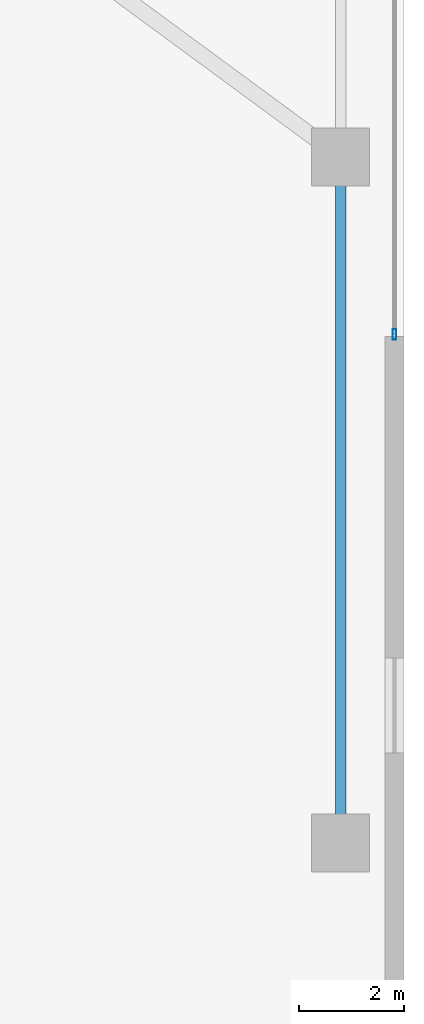
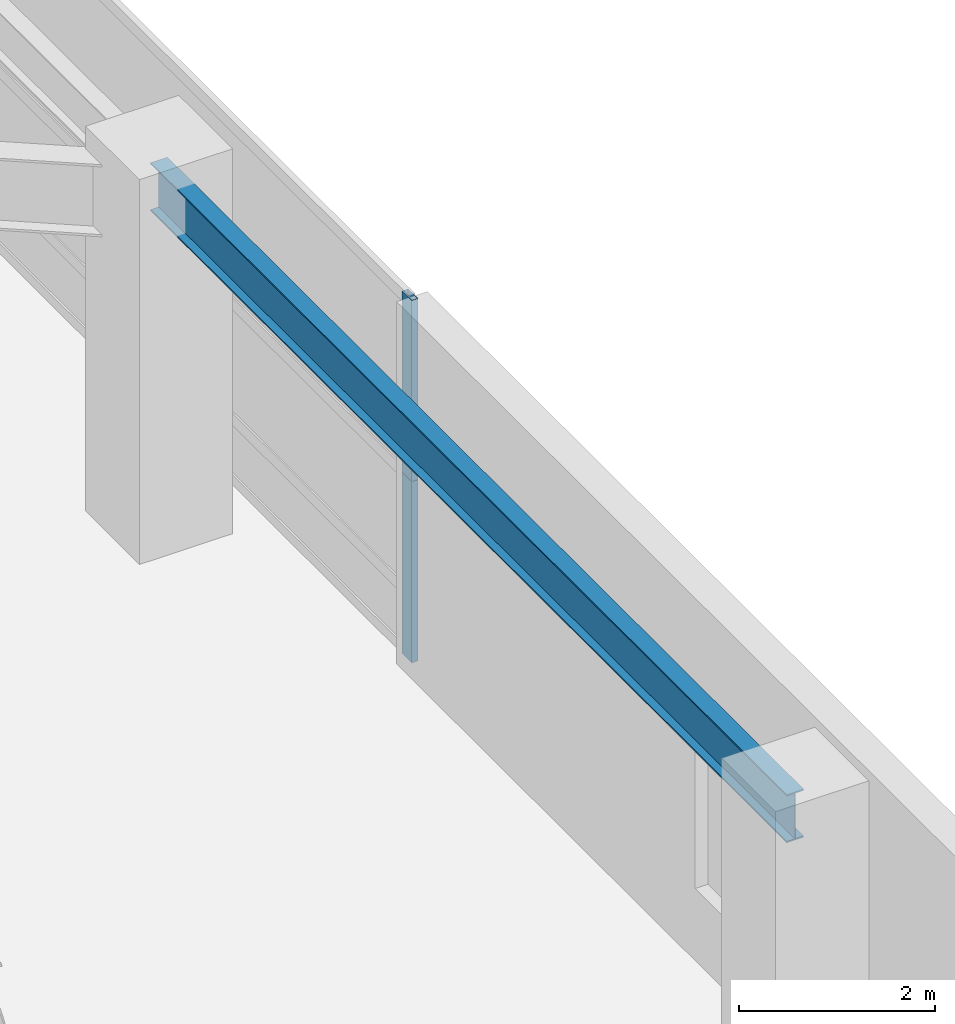
# One storey, part 26 of 37: 2 members, 1 beam, 1 element without a shape of its own.
"""IFC4 building model written with IfcOpenShell, lengths in metres."""

import ifcopenshell
import ifcopenshell.guid

model = None  # the IFC model being written
_history = None  # IfcOwnerHistory: only IFC2X3 demands one
_inside = {}  # id of a spatial element -> (the spatial element, [elements in it])
_under = {}  # id of a project, library or spatial element -> (it, [spatial elements below it])
_declared = {}  # id of a project -> (the project, [libraries it declares])
_typed = {}  # id of a type object -> (the type object, [elements of that type])
_made_of = {}  # id of a material, layer set ... -> (it, [elements and type objects made of it])


def new_model(schema):
    """Start an empty IFC model of exactly this schema.

    Asked for "IFC4X3", IfcOpenShell would pick the latest addendum, in which some entities
    have other attributes; the version numbers below select the first issue.
    IFC2X3 requires an IfcOwnerHistory on every rooted entity: one is made here for all.
    """
    global model, _history
    if schema == "IFC4X3":
        model = ifcopenshell.file(schema_version=(4, 3, 0, 0))
    else:
        model = ifcopenshell.file(schema=schema)
    _inside.clear()
    _under.clear()
    _declared.clear()
    _typed.clear()
    _made_of.clear()
    _history = None
    if model.schema == "IFC2X3":
        org = make("IfcOrganization", Name="unknown")
        user = make(
            "IfcPersonAndOrganization",
            ThePerson=make("IfcPerson", FamilyName="unknown"),
            TheOrganization=org,
        )
        app = make(
            "IfcApplication",
            ApplicationDeveloper=org,
            Version="unknown",
            ApplicationFullName="unknown",
            ApplicationIdentifier="unknown",
        )
        _history = make(
            "IfcOwnerHistory",
            OwningUser=user,
            OwningApplication=app,
            ChangeAction="ADDED",
            CreationDate=0,
        )
    return model


def make(cls, **values):
    """One entity of the class cls with the attributes given. An attribute that is None is left unset."""
    return model.create_entity(
        cls, **{name: value for name, value in values.items() if value is not None}
    )


def rooted(cls, **values):
    """An entity with a GlobalId (a new one), such as an element, a storey or a relation."""
    return make(cls, GlobalId=ifcopenshell.guid.new(), OwnerHistory=_history, **values)


def si_unit(unit_type, name, prefix=None):
    """IfcSIUnit, for example si_unit("LENGTHUNIT", "METRE", prefix="MILLI")."""
    return make("IfcSIUnit", UnitType=unit_type, Prefix=prefix, Name=name)


def assignment(units):
    """IfcUnitAssignment: the units of a project."""
    return None if units is None else make("IfcUnitAssignment", Units=units)


def point(xyz):
    """IfcCartesianPoint."""
    return None if xyz is None else make("IfcCartesianPoint", Coordinates=xyz)


def direction(xyz):
    """IfcDirection."""
    return None if xyz is None else make("IfcDirection", DirectionRatios=xyz)


def frame(location, z_axis=None, x_axis=None):
    """IfcAxis2Placement3D, a coordinate frame: its origin and axes. An axis left out is left unset."""
    return make(
        "IfcAxis2Placement3D",
        Location=point(location),
        Axis=direction(z_axis),
        RefDirection=direction(x_axis),
    )


def frame_2d(location, x_axis=None):
    """IfcAxis2Placement2D, a coordinate frame in the plane: its origin and x axis."""
    return make(
        "IfcAxis2Placement2D", Location=point(location), RefDirection=direction(x_axis)
    )


def origin():
    """The frame at (0, 0, 0) with its axes left unset."""
    return frame((0.0, 0.0, 0.0))


def origin_2d():
    """The frame at (0, 0) in the plane with its x axis left unset."""
    return frame_2d((0.0, 0.0))


def place(relative_to, where):
    """IfcLocalPlacement: puts the frame where relative to a parent placement (None: the world)."""
    return make(
        "IfcLocalPlacement", PlacementRelTo=relative_to, RelativePlacement=where
    )


def context(
    kind, dimensions, precision=None, world=None, true_north=None, identifier=None
):
    """IfcGeometricRepresentationContext, for example the 3D "Model" context."""
    return make(
        "IfcGeometricRepresentationContext",
        ContextIdentifier=identifier,
        ContextType=kind,
        CoordinateSpaceDimension=dimensions,
        Precision=precision,
        WorldCoordinateSystem=world,
        TrueNorth=true_north,
    )


def subcontext(parent, identifier, kind, view, scale=None):
    """IfcGeometricRepresentationSubContext, for example "Body" below "Model"."""
    return make(
        "IfcGeometricRepresentationSubContext",
        ContextIdentifier=identifier,
        ContextType=kind,
        ParentContext=parent,
        TargetScale=scale,
        TargetView=view,
    )


def project(units=None, contexts=None):
    """IfcProject with its units and contexts."""
    return rooted(
        "IfcProject",
        Name="project",
        RepresentationContexts=contexts,
        UnitsInContext=assignment(units),
    )


def spatial(cls, under=None, at=None, **own):
    """A site, building, storey or space (cls), placed at a placement, below another one or the project."""
    s = rooted(cls, ObjectPlacement=at, **own)
    if under is not None:
        _under.setdefault(under.id(), (under, []))[1].append(s)
    return s


def profile(cls, at=None, kind="AREA", **sizes):
    """A parametric profile (cls). Its sizes go by their IFC names, for example OverallWidth=200.0."""
    return make(cls, ProfileType=kind, Position=at, **sizes)


def hollow_rectangle(**sizes):
    """IfcRectangleHollowProfileDef."""
    return profile("IfcRectangleHollowProfileDef", **sizes)


def i_section(**sizes):
    """IfcIShapeProfileDef."""
    return profile("IfcIShapeProfileDef", **sizes)


def extrude(swept, where, along, depth):
    """IfcExtrudedAreaSolid: the profile swept, set in the frame where, extruded along a direction by depth."""
    return make(
        "IfcExtrudedAreaSolid",
        SweptArea=swept,
        Position=where,
        ExtrudedDirection=direction(along),
        Depth=depth,
    )


def shape(context_of_items, identifier, shape_type, items):
    """IfcShapeRepresentation: the items that make up one representation, for example the "Body"."""
    return make(
        "IfcShapeRepresentation",
        ContextOfItems=context_of_items,
        RepresentationIdentifier=identifier,
        RepresentationType=shape_type,
        Items=items,
    )


def source(mapping_origin, context_of_items, identifier, shape_type, items):
    """IfcRepresentationMap: a shape defined once, which mapped items show again and again."""
    return make(
        "IfcRepresentationMap",
        MappingOrigin=mapping_origin,
        MappedRepresentation=shape(context_of_items, identifier, shape_type, items),
    )


def transform(
    local_origin,
    x_axis=None,
    y_axis=None,
    z_axis=None,
    scale=None,
    scale2=None,
    scale3=None,
    uniform=True,
):
    """IfcCartesianTransformationOperator3D, or its non-uniform kind. x_axis, y_axis, z_axis: its Axis1, 2, 3."""
    if uniform:
        return make(
            "IfcCartesianTransformationOperator3D",
            Axis1=direction(x_axis),
            Axis2=direction(y_axis),
            LocalOrigin=point(local_origin),
            Scale=scale,
            Axis3=direction(z_axis),
        )
    return make(
        "IfcCartesianTransformationOperator3DnonUniform",
        Axis1=direction(x_axis),
        Axis2=direction(y_axis),
        LocalOrigin=point(local_origin),
        Scale=scale,
        Axis3=direction(z_axis),
        Scale2=scale2,
        Scale3=scale3,
    )


def mapped(mapping_source, mapping_target):
    """IfcMappedItem: shows the shape of a source again, moved by a transform."""
    return make(
        "IfcMappedItem", MappingSource=mapping_source, MappingTarget=mapping_target
    )


def material(Name=None, Category=None):
    """IfcMaterial."""
    return make("IfcMaterial", Name=Name, Category=Category)


def layer(
    of_material, thickness, ventilated=None, Name=None, Category=None, Priority=None
):
    """IfcMaterialLayer: one layer of a wall or slab, of a material (None: an air gap)."""
    return make(
        "IfcMaterialLayer",
        Material=of_material,
        LayerThickness=thickness,
        IsVentilated=ventilated,
        Name=Name,
        Category=Category,
        Priority=Priority,
    )


def layer_set(layers, Name=None):
    """IfcMaterialLayerSet."""
    return make("IfcMaterialLayerSet", MaterialLayers=layers, LayerSetName=Name)


def material_profile(
    of_material, cross_section, Name=None, Category=None, Priority=None
):
    """IfcMaterialProfile: a cross section and its material."""
    return make(
        "IfcMaterialProfile",
        Name=Name,
        Material=of_material,
        Profile=cross_section,
        Priority=Priority,
        Category=Category,
    )


def profile_set(profiles, Name=None, composite=None):
    """IfcMaterialProfileSet."""
    return make(
        "IfcMaterialProfileSet",
        Name=Name,
        MaterialProfiles=profiles,
        CompositeProfile=composite,
    )


def made_of(thing, what):
    """Note that an element or type object is made of a material, layer set ...; save() writes the relation."""
    if what is not None:
        _made_of.setdefault(what.id(), (what, []))[1].append(thing)
    return thing


def type_object(cls, material=None, **own):
    """A type object (cls), such as IfcWallType, which elements share."""
    return made_of(rooted(cls, **own), material)


def element(
    cls,
    number,
    at=None,
    inside=None,
    cuts=None,
    type_object=None,
    material=None,
    context=None,
    identifier="Body",
    shape_type=None,
    held_by="IfcProductDefinitionShape",
    body=None,
    shapes=None,
    **own,
):
    """One element of the class cls, such as IfcWall. Its Tag is "e" and its number.

    at: its placement. inside: the storey or other place that contains it. cuts: it is an
    opening in that element (IfcRelVoidsElement). A single representation is given by context,
    identifier, shape_type and body (its items); several are given by shapes. held_by: the class
    of the entity that holds the representations. save() writes the other relations.
    """
    e = rooted(cls, Tag="e%d" % number, ObjectPlacement=at, **own)
    if body is not None:
        shapes = [shape(context, identifier, shape_type, body)]
    if shapes is not None:
        e.Representation = make(held_by, Representations=shapes)
    if inside is not None:
        _inside.setdefault(inside.id(), (inside, []))[1].append(e)
    if cuts is not None:
        rooted(
            "IfcRelVoidsElement", RelatingBuildingElement=cuts, RelatedOpeningElement=e
        )
    if type_object is not None:
        _typed.setdefault(type_object.id(), (type_object, []))[1].append(e)
    return made_of(e, material)


def aggregate(whole, parts):
    """IfcRelAggregates: a whole, such as a stair, and the parts it consists of."""
    return rooted("IfcRelAggregates", RelatingObject=whole, RelatedObjects=parts)


def save(model, path):
    """Write the relations noted so far, then the file.

    IfcRelAggregates (storeys below a building ...), IfcRelContainedInSpatialStructure (elements
    in a storey), IfcRelDefinesByType, IfcRelAssociatesMaterial and IfcRelDeclares: one each for
    every whole, place, type object, material and project.
    """
    for whole, parts in _under.values():
        aggregate(whole, parts)
    for where, things in _inside.values():
        rooted(
            "IfcRelContainedInSpatialStructure",
            RelatedElements=things,
            RelatingStructure=where,
        )
    for kind, things in _typed.values():
        rooted("IfcRelDefinesByType", RelatedObjects=things, RelatingType=kind)
    for what, things in _made_of.values():
        rooted("IfcRelAssociatesMaterial", RelatedObjects=things, RelatingMaterial=what)
    for by, libraries in _declared.values():
        rooted("IfcRelDeclares", RelatingContext=by, RelatedDefinitions=libraries)
    model.write(path)


model = new_model("IFC4")

# Units and contexts
model_context = context("Model", 3, precision=1e-05, world=origin(), true_north=direction((0.0, 1.0)))
body_context = subcontext(model_context, "Body", "Model", "MODEL_VIEW")
ifc_project = project(units=[si_unit("LENGTHUNIT", "METRE"), si_unit("AREAUNIT", "SQUARE_METRE"), si_unit("VOLUMEUNIT", "CUBIC_METRE"), si_unit("PLANEANGLEUNIT", "RADIAN"), si_unit("MASSUNIT", "GRAM", prefix="KILO"), si_unit("THERMODYNAMICTEMPERATUREUNIT", "KELVIN"), si_unit("POWERUNIT", "WATT")], contexts=[model_context])

# Site, building, storey
site_placement = place(None, origin())
site = spatial("IfcSite", under=ifc_project, at=site_placement, CompositionType="ELEMENT")
building_placement = place(site_placement, origin())
building = spatial("IfcBuilding", under=site, at=building_placement, Name="Yuzanri Waterfront Tower", CompositionType="ELEMENT")
storey_placement = place(building_placement, frame((0.0, 0.0, 5.39990234375)))
storey = spatial("IfcBuildingStorey", under=building, at=storey_placement, Name="L02", CompositionType="ELEMENT", Elevation=5.39990234375)

# Beam
ifc_material_1 = material(Name="Steel Q355B", Category="steel")
ifc_material_profile_1 = material_profile(ifc_material_1, i_section(OverallWidth=0.199951171875, OverallDepth=0.60009765625, WebThickness=0.010986328125, FlangeThickness=0.01708984375, at=origin_2d()), Name="HN 600x200x11x17")
ifc_profile_set_1 = profile_set([ifc_material_profile_1], Name="Steel Q355B")
beam_type = type_object("IfcBeamType", Name="Perimeter Spandrel Q355B HN 600x200", PredefinedType="SPANDREL", material=ifc_profile_set_1)
shared_shape_1 = source(origin(), body_context, "Body", "SweptSolid", [
    extrude(i_section(OverallWidth=0.199951171875, OverallDepth=0.60009765625, WebThickness=0.010986328125, FlangeThickness=0.01708984375, at=origin_2d()), origin(), (0.0, 0.0, 1.0), 13.0),
])
beam_placement = place(storey_placement, frame((70.800048828125, 6.39990234375, 4.22021484375), z_axis=(0.0, 1.0, 0.0), x_axis=(-1.0, 0.0, 0.0)))
element("IfcBeam", 1, at=beam_placement, inside=storey, type_object=beam_type, Name="L02 East Podium Spandrel 1", PredefinedType="SPANDREL", context=body_context, shape_type="MappedRepresentation", body=[
    mapped(shared_shape_1, transform((0.0, 0.0, 0.0), scale=1.0)),
])

# Curtain wall, members
ifc_material_2 = material(Name="Anodized Architectural Bronze", Category="metal")
ifc_layer = layer(ifc_material_2, 0.159912109375)
ifc_layer_set = layer_set([ifc_layer], Name="Anodized Architectural Bronze")
curtain_wall_type = type_object("IfcCurtainWallType", Name="Anodized Bronze Podium Waterfront Double-Height Unitized Curtain Wall 8400", PredefinedType="NOTDEFINED", material=ifc_layer_set)
curtain_wall_placement = place(storey_placement, origin())
curtain_wall = element("IfcCurtainWall", 2, at=curtain_wall_placement, inside=storey, type_object=curtain_wall_type, Name="L02 Curtain Wall CW-L02-E", PredefinedType="NOTDEFINED")
ifc_material_3 = material(Name="Anodized Architectural Bronze", Category="metal")
ifc_material_profile_2 = material_profile(ifc_material_3, hollow_rectangle(XDim=0.074951171875, YDim=0.199951171875, WallThickness=0.00390625, at=origin_2d()), Name="CWM 75x200")
ifc_profile_set_2 = profile_set([ifc_material_profile_2], Name="Anodized Architectural Bronze")
member_type = type_object("IfcMemberType", Name="Anodized Bronze Primary Curtain-Wall Mullion 75x200", PredefinedType="MULLION", material=ifc_profile_set_2)
shared_shape_2 = source(origin(), body_context, "Body", "SweptSolid", [
    extrude(hollow_rectangle(XDim=0.074951171875, YDim=0.199951171875, WallThickness=0.00390625, at=origin_2d()), origin(), (0.0, 0.0, 1.0), 2.258056640625),
])
member_1_placement = place(storey_placement, frame((71.820068359375, 16.0400390625, 0.0), z_axis=(0.0, 0.0, 1.0), x_axis=(1.0, 0.0, 0.0)))
member_1 = element("IfcMember", 3, at=member_1_placement, type_object=member_type, Name="CW-L02-E Lower Mullion 00", PredefinedType="MULLION", context=body_context, shape_type="MappedRepresentation", body=[
    mapped(shared_shape_2, transform((0.0, 0.0, 0.0), scale=1.0)),
])
shared_shape_3 = source(origin(), body_context, "Body", "SweptSolid", [
    extrude(hollow_rectangle(XDim=0.074951171875, YDim=0.199951171875, WallThickness=0.00390625, at=origin_2d()), origin(), (0.0, 0.0, 1.0), 2.2578125),
])
member_2_placement = place(storey_placement, frame((71.820068359375, 16.0400390625, 2.26220703125), z_axis=(0.0, 0.0, 1.0), x_axis=(1.0, 0.0, 0.0)))
member_2 = element("IfcMember", 4, at=member_2_placement, type_object=member_type, Name="CW-L02-E Upper Mullion 00", PredefinedType="MULLION", context=body_context, shape_type="MappedRepresentation", body=[
    mapped(shared_shape_3, transform((0.0, 0.0, 0.0), scale=1.0)),
])
aggregate(curtain_wall, [member_1, member_2])

save(model, "model.ifc")
